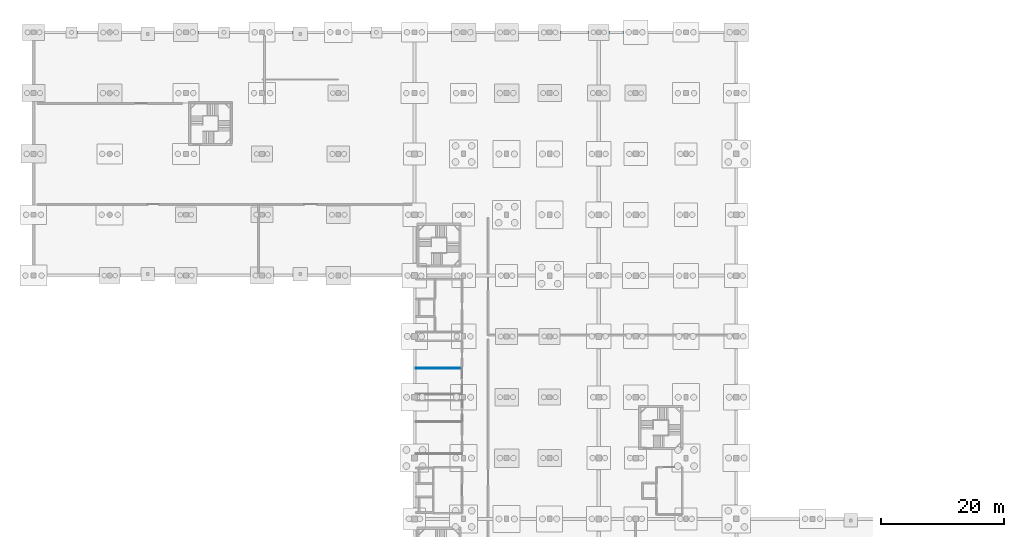
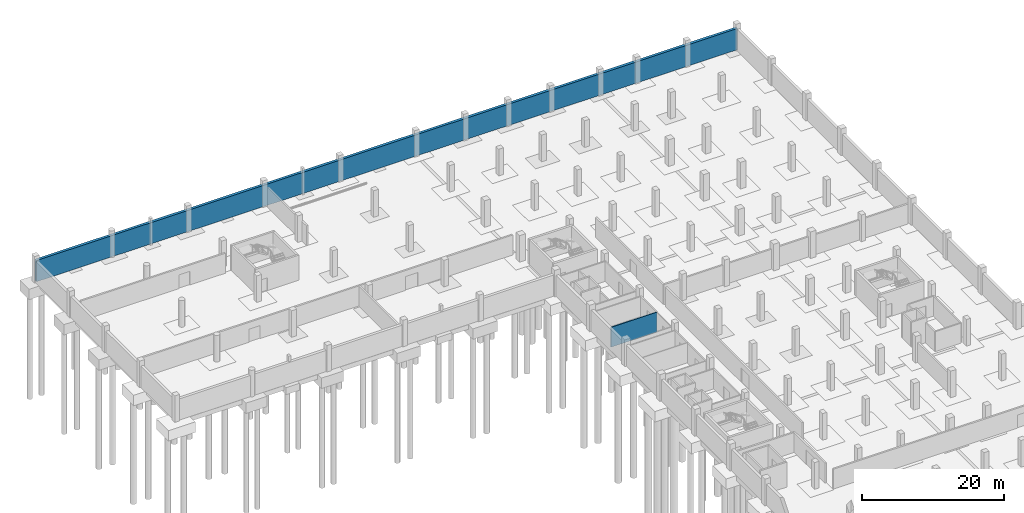
# One storey, part 16 of 30: 2 walls.
"""IFC4 building model written with IfcOpenShell, lengths in metres."""

from ifc_helpers import new_model, si_unit, direction, frame, frame_2d, origin, place, context, subcontext, project, spatial, rectangle, extrude, material, layer, layer_set, type_object, element, save


model = new_model("IFC4")

# Units and contexts
model_context = context("Model", 3, precision=1e-05, world=origin(), true_north=direction((0.0, 1.0)))
body_context = subcontext(model_context, "Body", "Model", "MODEL_VIEW")
ifc_project = project(units=[si_unit("LENGTHUNIT", "METRE"), si_unit("AREAUNIT", "SQUARE_METRE"), si_unit("VOLUMEUNIT", "CUBIC_METRE"), si_unit("PLANEANGLEUNIT", "RADIAN"), si_unit("MASSUNIT", "GRAM", prefix="KILO")], contexts=[model_context])

# Site, building, storey
site_placement = place(None, origin())
site = spatial("IfcSite", under=ifc_project, at=site_placement, CompositionType="ELEMENT")
building_placement = place(site_placement, origin())
building = spatial("IfcBuilding", under=site, at=building_placement, Name="Sillaruma Civic Art Gallery", CompositionType="ELEMENT")
storey_placement = place(building_placement, frame((0.0, 0.0, -9.179931640625)))
storey = spatial("IfcBuildingStorey", under=building, at=storey_placement, Name="B02", CompositionType="ELEMENT", Elevation=-9.179931640625)

# Walls
ifc_material_1 = material(Name="Gypsum Acoustic Board", Category="gypsum")
ifc_layer_1 = layer(ifc_material_1, 0.02490234375, Name="Finish board", Category="gypsum")
ifc_material_2 = material(Name="Mineral Wool Thermal Insulation", Category="insulation")
ifc_layer_2 = layer(ifc_material_2, 0.080078125, Name="Acoustic core", Category="insulation")
ifc_material_3 = material(Name="Andean Oak Timber", Category="wood")
ifc_layer_3 = layer(ifc_material_3, 0.02490234375, Name="Gallery lining", Category="wood")
ifc_layer_set_1 = layer_set([ifc_layer_1, ifc_layer_2, ifc_layer_3], Name="W-PT-130")
wall_type_1 = type_object("IfcWallType", Name="WAL-PART-130", PredefinedType="PARTITIONING", material=ifc_layer_set_1)
wall_1_placement = place(storey_placement, frame((62.219970703125, 64.10009765625, 0.0), z_axis=(0.0, 0.0, 1.0), x_axis=(1.0, 0.0, 0.0)))
element("IfcWall", 1, at=wall_1_placement, inside=storey, type_object=wall_type_1, Name="Interior Wall W-PT-130 (B02-CLN)", PredefinedType="PARTITIONING", context=body_context, shape_type="SweptSolid", body=[
    extrude(rectangle(XDim=7.530029296875, YDim=0.1298828125, at=frame_2d((3.76513671875, 0.0))), origin(), (0.0, 0.0, 1.0), 3.429931640625),
])
ifc_material_4 = material(Name="Concrete H40 (40 MPa)", Category="concrete")
ifc_layer_4 = layer(ifc_material_4, 0.43994140625, Name="Concrete H40 (40 MPa)")
ifc_layer_set_2 = layer_set([ifc_layer_4], Name="Concrete H40 (40 MPa)")
wall_type_2 = type_object("IfcWallType", Name="WAL-RET-440", PredefinedType="USERDEFINED", material=ifc_layer_set_2)
wall_2_placement = place(storey_placement, frame((114.39990234375, 118.800048828125, 0.0), z_axis=(0.0, 0.0, 1.0), x_axis=(-1.0, 0.0, 0.0)))
element("IfcWall", 2, at=wall_2_placement, inside=storey, type_object=wall_type_2, Name="Exterior Wall W-RET-440 (RET-B02-05)", ObjectType="RETAININGWALL", PredefinedType="USERDEFINED", context=body_context, shape_type="SweptSolid", body=[
    extrude(rectangle(XDim=114.39990234375, YDim=0.43994140625, at=frame_2d((57.199951171875, 0.0))), origin(), (0.0, 0.0, 1.0), 3.659912109375),
])

save(model, "model.ifc")
